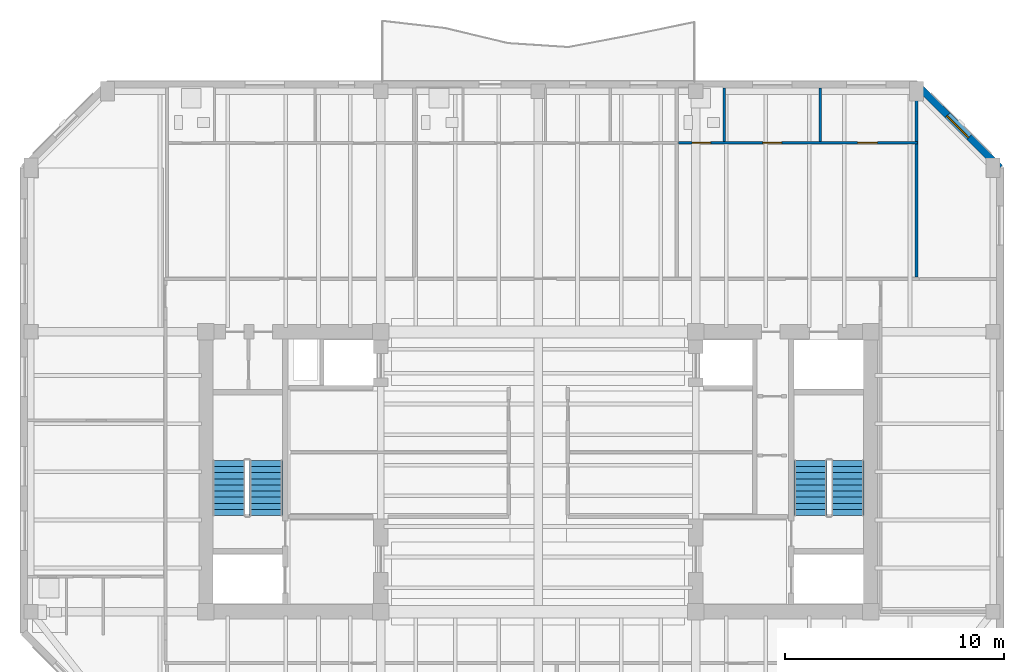
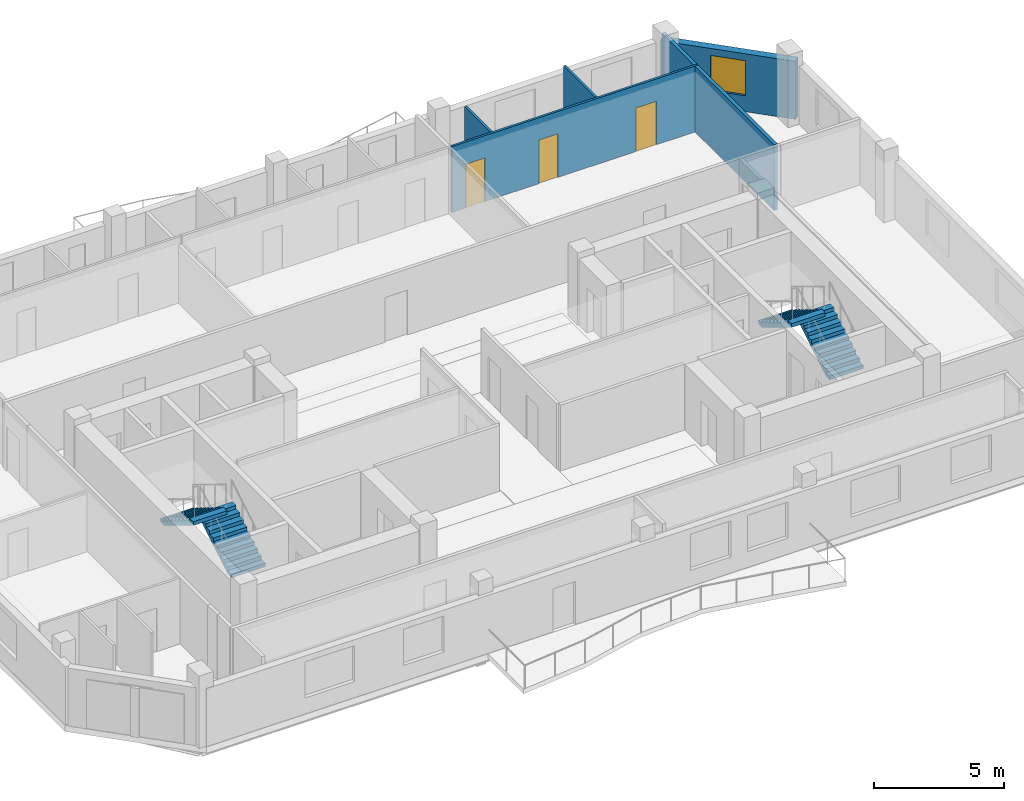
# One storey, part 6 of 10: 5 walls, 4 stair flights, 3 doors, 1 window, 4 openings, 2 elements without a shape of their own.
"""IFC4 building model written with IfcOpenShell, lengths in metres."""

from ifc_helpers import new_model, si_unit, direction, frame, frame_2d, origin, place, context, subcontext, project, spatial, polyline, rectangle, outline, extrude, material, layer, layer_set, type_object, element, fill, aggregate, save


model = new_model("IFC4")

# Units and contexts
model_context = context("Model", 3, precision=1e-05, world=origin(), true_north=direction((0.0, 1.0)))
body_context = subcontext(model_context, "Body", "Model", "MODEL_VIEW")
ifc_project = project(units=[si_unit("LENGTHUNIT", "METRE"), si_unit("AREAUNIT", "SQUARE_METRE"), si_unit("VOLUMEUNIT", "CUBIC_METRE"), si_unit("PLANEANGLEUNIT", "RADIAN"), si_unit("MASSUNIT", "GRAM", prefix="KILO")], contexts=[model_context])

# Site, building, storey
site_placement = place(None, origin())
site = spatial("IfcSite", under=ifc_project, at=site_placement, CompositionType="ELEMENT")
building_placement = place(site_placement, origin())
building = spatial("IfcBuilding", under=site, at=building_placement, Name="Kranthara Brick Stack", CompositionType="ELEMENT")
storey_placement = place(building_placement, frame((0.0, 0.0, 275.5)))
storey = spatial("IfcBuildingStorey", under=building, at=storey_placement, Name="L73", CompositionType="ELEMENT", Elevation=275.5)

# Wall, opening, window
ifc_material_1 = material(Name="Warm buff clay brick masonry M15", Category="masonry")
ifc_layer_1 = layer(ifc_material_1, 0.320068359375)
ifc_layer_set_1 = layer_set([ifc_layer_1], Name="Warm buff clay brick masonry M15")
wall_type_1 = type_object("IfcWallType", Name="WL-BRK-UPPR-320", PredefinedType="STANDARD", material=ifc_layer_set_1)
wall_1_placement = place(storey_placement, frame((45.300048828125, 44.919921875, 0.0), z_axis=(0.0, 0.0, 1.0), x_axis=(0.70712937715, -0.707084184501, 0.0)))
wall_1 = element("IfcWall", 1, at=wall_1_placement, inside=storey, type_object=wall_type_1, Name="L73 Exterior Brick Facade Wall NE 1", PredefinedType="STANDARD", context=body_context, shape_type="SweptSolid", body=[
    extrude(rectangle(XDim=5.402099609375, YDim=0.320068359375, at=frame_2d((2.701171875, 0.0))), origin(), (0.0, 0.0, 1.0), 2.72509765625),
])
opening_1_placement = place(wall_1_placement, frame((2.0009765625, 0.0, 0.75)))
opening_1 = element("IfcOpeningElement", 2, at=opening_1_placement, cuts=wall_1, Name="Opening WN10", PredefinedType="OPENING", context=body_context, shape_type="SweptSolid", body=[
    extrude(rectangle(XDim=1.39990234375, YDim=1.64990234375, at=frame_2d((0.699951171875, 0.824951171875))), frame((0.0, 0.169921875, 0.0), z_axis=(0.0, -1.0, 0.0), x_axis=(1.0, 0.0, 0.0)), (0.0, 0.0, 1.0), 0.340087890625),
])
ifc_material_2 = material(Name="Double-glazed low-E solar control glass", Category="glass")
window_type = type_object("IfcWindowType", Name="WN-CHM-1400x1750", PartitioningType="SINGLE_PANEL", PredefinedType="WINDOW", material=ifc_material_2)
window_placement = place(opening_1_placement, origin())
window = element("IfcWindow", 3, at=window_placement, inside=storey, type_object=window_type, Name="L73 NE Chamfer Corner Window", OverallHeight=1.64990234375, OverallWidth=1.39990234375, PartitioningType="SINGLE_PANEL", PredefinedType="WINDOW", context=body_context, shape_type="SweptSolid", body=[
    extrude(rectangle(XDim=1.39990234375, YDim=1.64990234375, at=frame_2d((0.699951171875, 0.824951171875))), frame((0.0, -0.010009765625, 0.0), z_axis=(0.0, -1.0, 0.0), x_axis=(1.0, 0.0, 0.0)), (0.0, 0.0, 1.0), 0.06005859375),
])
fill(opening_1, window)

# Wall, openings, doors
ifc_material_3 = material(Name="Moisture-resistant wet-room partition", Category="other")
ifc_layer_2 = layer(ifc_material_3, 0.10009765625)
ifc_layer_set_2 = layer_set([ifc_layer_2], Name="Moisture-resistant wet-room partition")
wall_type_2 = type_object("IfcWallType", Name="WL-PART-100", PredefinedType="PARTITIONING", material=ifc_layer_set_2)
wall_2_placement = place(storey_placement, frame((34.409912109375, 42.25, 0.0), z_axis=(0.0, 0.0, 1.0), x_axis=(1.0, 0.0, 0.0)))
wall_2 = element("IfcWall", 4, at=wall_2_placement, inside=storey, type_object=wall_type_2, Name="L73 Interior Partition 025", PredefinedType="PARTITIONING", context=body_context, shape_type="SweptSolid", body=[
    extrude(rectangle(XDim=10.93017578125, YDim=0.10009765625, at=frame_2d((5.465087890625, 0.0))), origin(), (0.0, 0.0, 1.0), 3.10009765625),
])
opening_2_placement = place(wall_2_placement, frame((0.625, 0.0, 0.0)))
opening_2 = element("IfcOpeningElement", 5, at=opening_2_placement, cuts=wall_2, Name="Opening D17", PredefinedType="OPENING", context=body_context, shape_type="SweptSolid", body=[
    extrude(rectangle(XDim=0.85009765625, YDim=2.050048828125, at=frame_2d((0.425048828125, 1.02490234375))), frame((0.0, 0.06005859375, 0.0), z_axis=(0.0, -1.0, 0.0), x_axis=(1.0, 0.0, 0.0)), (0.0, 0.0, 1.0), 0.1201171875),
])
opening_3_placement = place(wall_2_placement, frame((3.867919921875, 0.0, 0.0)))
opening_3 = element("IfcOpeningElement", 6, at=opening_3_placement, cuts=wall_2, Name="Opening D16", PredefinedType="OPENING", context=body_context, shape_type="SweptSolid", body=[
    extrude(rectangle(XDim=0.85009765625, YDim=2.050048828125, at=frame_2d((0.425048828125, 1.02490234375))), frame((0.0, 0.06005859375, 0.0), z_axis=(0.0, -1.0, 0.0), x_axis=(1.0, 0.0, 0.0)), (0.0, 0.0, 1.0), 0.1201171875),
])
opening_4_placement = place(wall_2_placement, frame((8.197998046875, 0.0, 0.0)))
opening_4 = element("IfcOpeningElement", 7, at=opening_4_placement, cuts=wall_2, Name="Opening D15", PredefinedType="OPENING", context=body_context, shape_type="SweptSolid", body=[
    extrude(rectangle(XDim=0.89990234375, YDim=2.050048828125, at=frame_2d((0.449951171875, 1.02490234375))), frame((0.0, 0.06005859375, 0.0), z_axis=(0.0, -1.0, 0.0), x_axis=(1.0, 0.0, 0.0)), (0.0, 0.0, 1.0), 0.1201171875),
])
ifc_material_4 = material(Name="Solid-core hardwood timber leaf in steel frame", Category="steel")
door_type_1 = type_object("IfcDoorType", Name="DR-INT-850", OperationType="NOTDEFINED", PredefinedType="DOOR", material=ifc_material_4)
door_1_placement = place(opening_3_placement, origin())
door_1 = element("IfcDoor", 8, at=door_1_placement, inside=storey, type_object=door_type_1, Name="L73 Unit L73C Kitchen 21", OperationType="SINGLE_SWING_LEFT", OverallHeight=2.050048828125, OverallWidth=0.85009765625, PredefinedType="DOOR", context=body_context, shape_type="SweptSolid", body=[
    extrude(rectangle(XDim=0.85009765625, YDim=2.050048828125, at=frame_2d((0.425048828125, 1.02490234375))), frame((0.0, 0.02490234375, 0.0), z_axis=(0.0, -1.0, 0.0), x_axis=(1.0, 0.0, 0.0)), (0.0, 0.0, 1.0), 0.050048828125),
])
fill(opening_3, door_1)
ifc_material_5 = material(Name="Solid-core hardwood timber leaf in steel frame", Category="steel")
door_type_2 = type_object("IfcDoorType", Name="DR-INT-900", OperationType="NOTDEFINED", PredefinedType="DOOR", material=ifc_material_5)
door_2_placement = place(opening_4_placement, origin())
door_2 = element("IfcDoor", 9, at=door_2_placement, inside=storey, type_object=door_type_2, Name="L73 Unit L73C Bedroom 22", OperationType="SINGLE_SWING_RIGHT", OverallHeight=2.050048828125, OverallWidth=0.89990234375, PredefinedType="DOOR", context=body_context, shape_type="SweptSolid", body=[
    extrude(rectangle(XDim=0.89990234375, YDim=2.050048828125, at=frame_2d((0.449951171875, 1.02490234375))), frame((0.0, 0.02490234375, 0.0), z_axis=(0.0, -1.0, 0.0), x_axis=(1.0, 0.0, 0.0)), (0.0, 0.0, 1.0), 0.050048828125),
])
fill(opening_4, door_2)
ifc_material_6 = material(Name="Solid-core hardwood timber leaf in steel frame", Category="steel")
door_type_3 = type_object("IfcDoorType", Name="DR-WET-850", OperationType="NOTDEFINED", PredefinedType="DOOR", material=ifc_material_6)
door_3_placement = place(opening_2_placement, origin())
door_3 = element("IfcDoor", 10, at=door_3_placement, inside=storey, type_object=door_type_3, Name="L73 Unit L73C Bathroom 20", OperationType="SINGLE_SWING_RIGHT", OverallHeight=2.050048828125, OverallWidth=0.85009765625, PredefinedType="DOOR", context=body_context, shape_type="SweptSolid", body=[
    extrude(rectangle(XDim=0.85009765625, YDim=2.050048828125, at=frame_2d((0.425048828125, 1.02490234375))), frame((0.0, 0.02490234375, 0.0), z_axis=(0.0, -1.0, 0.0), x_axis=(1.0, 0.0, 0.0)), (0.0, 0.0, 1.0), 0.050048828125),
])
fill(opening_2, door_3)

# Walls
wall_3_placement = place(storey_placement, frame((36.510009765625, 42.304931640625, 0.0), z_axis=(0.0, 0.0, 1.0), x_axis=(0.0, 1.0, 0.0)))
element("IfcWall", 11, at=wall_3_placement, inside=storey, type_object=wall_type_2, Name="L73 Interior Partition 026", PredefinedType="PARTITIONING", context=body_context, shape_type="SweptSolid", body=[
    extrude(rectangle(XDim=2.449951171875, YDim=0.10009765625, at=frame_2d((1.22509765625, 0.0))), origin(), (0.0, 0.0, 1.0), 2.72509765625),
])
wall_4_placement = place(storey_placement, frame((40.89599609375, 42.304931640625, 0.0), z_axis=(0.0, 0.0, 1.0), x_axis=(0.0, 1.0, 0.0)))
element("IfcWall", 12, at=wall_4_placement, inside=storey, type_object=wall_type_2, Name="L73 Interior Partition 027", PredefinedType="PARTITIONING", context=body_context, shape_type="SweptSolid", body=[
    extrude(rectangle(XDim=2.449951171875, YDim=0.10009765625, at=frame_2d((1.22509765625, 0.0))), origin(), (0.0, 0.0, 1.0), 3.10009765625),
])
ifc_material_7 = material(Name="Fire-rated gypsum board partition", Category="other")
ifc_layer_3 = layer(ifc_material_7, 0.14990234375)
ifc_layer_set_3 = layer_set([ifc_layer_3], Name="Fire-rated gypsum board partition")
wall_type_3 = type_object("IfcWallType", Name="WL-PART-150", PredefinedType="PARTITIONING", material=ifc_layer_set_3)
wall_5_placement = place(storey_placement, frame((45.300048828125, 36.10009765625, 0.0), z_axis=(0.0, 0.0, 1.0), x_axis=(0.0, 1.0, 0.0)))
element("IfcWall", 13, at=wall_5_placement, inside=storey, type_object=wall_type_3, Name="L73 Interior Partition 028", PredefinedType="PARTITIONING", context=body_context, shape_type="SweptSolid", body=[
    extrude(rectangle(XDim=8.65478515625, YDim=0.14990234375, at=frame_2d((4.327392578125, 0.0))), origin(), (0.0, 0.0, 1.0), 3.10009765625),
])

# Stair, stair flights
ifc_material_8 = material(Name="Concrete C45/55", Category="concrete")
stair_type = type_object("IfcStairType", Name="ST-CORE-20R", PredefinedType="HALF_TURN_STAIR", material=ifc_material_8)
stair_1_placement = place(storey_placement, origin())
stair_1 = element("IfcStair", 14, at=stair_1_placement, inside=storey, type_object=stair_type, Name="L73 West Core Protected Exit Stair ST01", PredefinedType="HALF_TURN_STAIR")
ifc_material_9 = material(Name="Concrete C45/55", Category="concrete")
stair_flight_type = type_object("IfcStairFlightType", Name="SFL-RC-20R", PredefinedType="STRAIGHT", material=ifc_material_9)
stair_flight_1_placement = place(storey_placement, frame((15.550048828125, 25.199951171875, 0.0), z_axis=(0.0, 0.0, 1.0), x_axis=(0.0, 1.0, 0.0)))
stair_flight_1 = element("IfcStairFlight", 15, at=stair_flight_1_placement, type_object=stair_flight_type, Name="ST01 flight 1", NumberOfRisers=10, NumberOfTreads=9, PredefinedType="STRAIGHT", RiserHeight=0.17, TreadLength=0.28, context=body_context, shape_type="SweptSolid", body=[
    extrude(outline(polyline([(0.0, 0.0), (0.0, 0.169921875), (0.280029296875, 0.169921875), (0.280029296875, 0.340087890625), (0.56005859375, 0.340087890625), (0.56005859375, 0.510009765625), (0.840087890625, 0.510009765625), (0.840087890625, 0.679931640625), (1.1201171875, 0.679931640625), (1.1201171875, 0.85009765625), (1.39990234375, 0.85009765625), (1.39990234375, 1.02001953125), (1.679931640625, 1.02001953125), (1.679931640625, 1.18994140625), (1.9599609375, 1.18994140625), (1.9599609375, 1.360107421875), (2.239990234375, 1.360107421875), (2.239990234375, 1.530029296875), (2.52001953125, 1.530029296875), (2.52001953125, 1.699951171875), (2.52001953125, 1.354736328125), (0.288818359375, 0.0), (0.0, 0.0)])), frame((0.0, 0.75, 0.0), z_axis=(0.0, -1.0, 0.0), x_axis=(1.0, 0.0, 0.0)), (0.0, 0.0, 1.0), 1.5),
])
stair_flight_2_placement = place(storey_placement, frame((13.85009765625, 27.719970703125, 1.699951171875), z_axis=(0.0, 0.0, 1.0), x_axis=(0.0, -1.0, 0.0)))
stair_flight_2 = element("IfcStairFlight", 16, at=stair_flight_2_placement, type_object=stair_flight_type, Name="ST01 flight 2", NumberOfRisers=10, NumberOfTreads=9, PredefinedType="STRAIGHT", RiserHeight=0.17, TreadLength=0.28, context=body_context, shape_type="SweptSolid", body=[
    extrude(outline(polyline([(0.0, 0.0), (0.0, 0.169921875), (0.280029296875, 0.169921875), (0.280029296875, 0.340087890625), (0.56005859375, 0.340087890625), (0.56005859375, 0.510009765625), (0.840087890625, 0.510009765625), (0.840087890625, 0.679931640625), (1.1201171875, 0.679931640625), (1.1201171875, 0.85009765625), (1.39990234375, 0.85009765625), (1.39990234375, 1.02001953125), (1.679931640625, 1.02001953125), (1.679931640625, 1.18994140625), (1.9599609375, 1.18994140625), (1.9599609375, 1.360107421875), (2.239990234375, 1.360107421875), (2.239990234375, 1.530029296875), (2.52001953125, 1.530029296875), (2.52001953125, 1.699951171875), (2.52001953125, 1.354736328125), (0.288818359375, 0.0), (0.0, 0.0)])), frame((0.0, 0.75, 0.0), z_axis=(0.0, -1.0, 0.0), x_axis=(1.0, 0.0, 0.0)), (0.0, 0.0, 1.0), 1.5),
])
aggregate(stair_1, [stair_flight_1, stair_flight_2])

stair_2_placement = place(storey_placement, origin())
stair_2 = element("IfcStair", 17, at=stair_2_placement, inside=storey, type_object=stair_type, Name="L73 East Core Protected Exit Stair ST02", PredefinedType="HALF_TURN_STAIR")
stair_flight_3_placement = place(storey_placement, frame((42.14990234375, 25.199951171875, 0.0), z_axis=(0.0, 0.0, 1.0), x_axis=(0.0, 1.0, 0.0)))
stair_flight_3 = element("IfcStairFlight", 18, at=stair_flight_3_placement, type_object=stair_flight_type, Name="ST02 flight 1", NumberOfRisers=10, NumberOfTreads=9, PredefinedType="STRAIGHT", RiserHeight=0.17, TreadLength=0.28, context=body_context, shape_type="SweptSolid", body=[
    extrude(outline(polyline([(0.0, 0.0), (0.0, 0.169921875), (0.280029296875, 0.169921875), (0.280029296875, 0.340087890625), (0.56005859375, 0.340087890625), (0.56005859375, 0.510009765625), (0.840087890625, 0.510009765625), (0.840087890625, 0.679931640625), (1.1201171875, 0.679931640625), (1.1201171875, 0.85009765625), (1.39990234375, 0.85009765625), (1.39990234375, 1.02001953125), (1.679931640625, 1.02001953125), (1.679931640625, 1.18994140625), (1.9599609375, 1.18994140625), (1.9599609375, 1.360107421875), (2.239990234375, 1.360107421875), (2.239990234375, 1.530029296875), (2.52001953125, 1.530029296875), (2.52001953125, 1.699951171875), (2.52001953125, 1.354736328125), (0.288818359375, 0.0), (0.0, 0.0)])), frame((0.0, 0.75, 0.0), z_axis=(0.0, -1.0, 0.0), x_axis=(1.0, 0.0, 0.0)), (0.0, 0.0, 1.0), 1.5),
])
stair_flight_4_placement = place(storey_placement, frame((40.449951171875, 27.719970703125, 1.699951171875), z_axis=(0.0, 0.0, 1.0), x_axis=(0.0, -1.0, 0.0)))
stair_flight_4 = element("IfcStairFlight", 19, at=stair_flight_4_placement, type_object=stair_flight_type, Name="ST02 flight 2", NumberOfRisers=10, NumberOfTreads=9, PredefinedType="STRAIGHT", RiserHeight=0.17, TreadLength=0.28, context=body_context, shape_type="SweptSolid", body=[
    extrude(outline(polyline([(0.0, 0.0), (0.0, 0.169921875), (0.280029296875, 0.169921875), (0.280029296875, 0.340087890625), (0.56005859375, 0.340087890625), (0.56005859375, 0.510009765625), (0.840087890625, 0.510009765625), (0.840087890625, 0.679931640625), (1.1201171875, 0.679931640625), (1.1201171875, 0.85009765625), (1.39990234375, 0.85009765625), (1.39990234375, 1.02001953125), (1.679931640625, 1.02001953125), (1.679931640625, 1.18994140625), (1.9599609375, 1.18994140625), (1.9599609375, 1.360107421875), (2.239990234375, 1.360107421875), (2.239990234375, 1.530029296875), (2.52001953125, 1.530029296875), (2.52001953125, 1.699951171875), (2.52001953125, 1.354736328125), (0.288818359375, 0.0), (0.0, 0.0)])), frame((0.0, 0.75, 0.0), z_axis=(0.0, -1.0, 0.0), x_axis=(1.0, 0.0, 0.0)), (0.0, 0.0, 1.0), 1.5),
])
aggregate(stair_2, [stair_flight_3, stair_flight_4])

save(model, "model.ifc")
